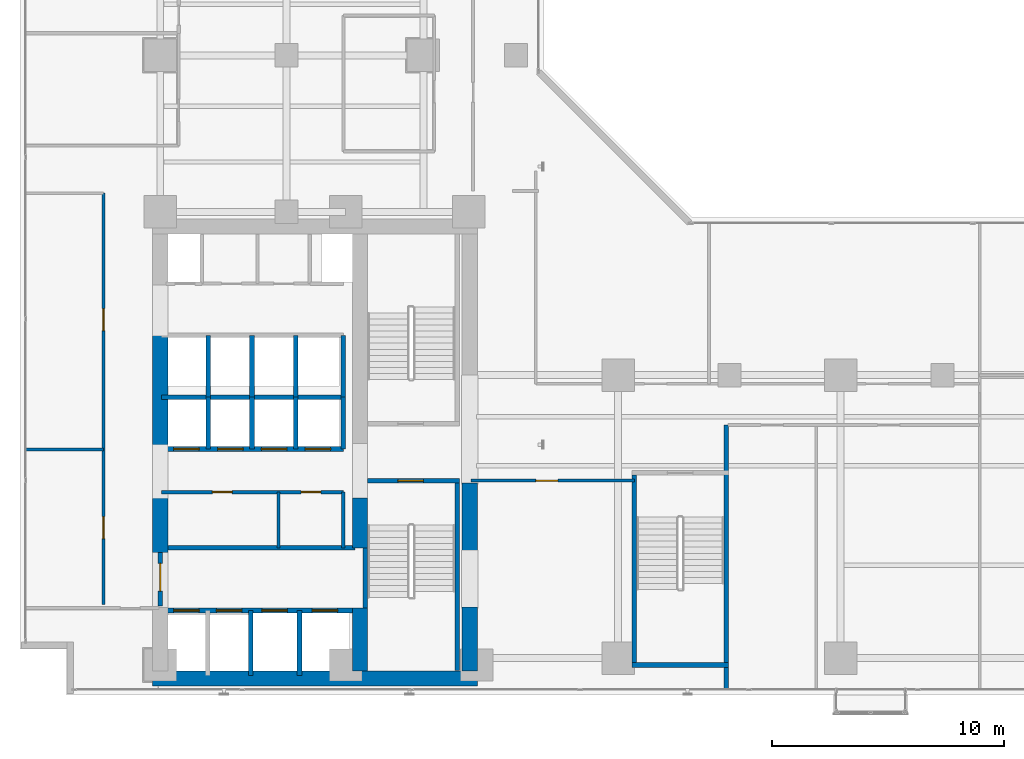
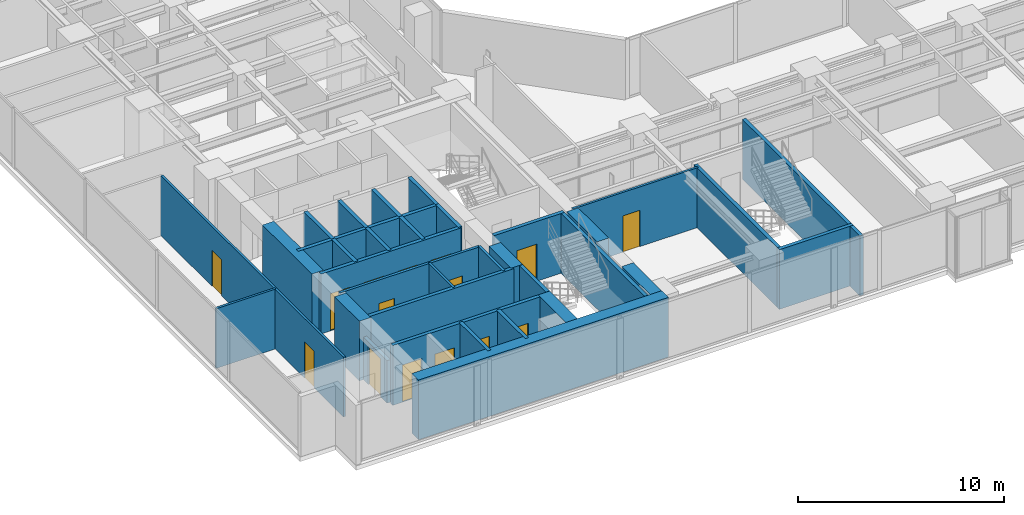
# One storey, part 20 of 28: 34 walls, 15 doors, 15 openings.
"""IFC4 building model written with IfcOpenShell, lengths in metres."""

import ifcopenshell
import ifcopenshell.guid

model = None  # the IFC model being written
_history = None  # IfcOwnerHistory: only IFC2X3 demands one
_inside = {}  # id of a spatial element -> (the spatial element, [elements in it])
_under = {}  # id of a project, library or spatial element -> (it, [spatial elements below it])
_declared = {}  # id of a project -> (the project, [libraries it declares])
_typed = {}  # id of a type object -> (the type object, [elements of that type])
_made_of = {}  # id of a material, layer set ... -> (it, [elements and type objects made of it])


def new_model(schema):
    """Start an empty IFC model of exactly this schema.

    Asked for "IFC4X3", IfcOpenShell would pick the latest addendum, in which some entities
    have other attributes; the version numbers below select the first issue.
    IFC2X3 requires an IfcOwnerHistory on every rooted entity: one is made here for all.
    """
    global model, _history
    if schema == "IFC4X3":
        model = ifcopenshell.file(schema_version=(4, 3, 0, 0))
    else:
        model = ifcopenshell.file(schema=schema)
    _inside.clear()
    _under.clear()
    _declared.clear()
    _typed.clear()
    _made_of.clear()
    _history = None
    if model.schema == "IFC2X3":
        org = make("IfcOrganization", Name="unknown")
        user = make(
            "IfcPersonAndOrganization",
            ThePerson=make("IfcPerson", FamilyName="unknown"),
            TheOrganization=org,
        )
        app = make(
            "IfcApplication",
            ApplicationDeveloper=org,
            Version="unknown",
            ApplicationFullName="unknown",
            ApplicationIdentifier="unknown",
        )
        _history = make(
            "IfcOwnerHistory",
            OwningUser=user,
            OwningApplication=app,
            ChangeAction="ADDED",
            CreationDate=0,
        )
    return model


def make(cls, **values):
    """One entity of the class cls with the attributes given. An attribute that is None is left unset."""
    return model.create_entity(
        cls, **{name: value for name, value in values.items() if value is not None}
    )


def rooted(cls, **values):
    """An entity with a GlobalId (a new one), such as an element, a storey or a relation."""
    return make(cls, GlobalId=ifcopenshell.guid.new(), OwnerHistory=_history, **values)


def si_unit(unit_type, name, prefix=None):
    """IfcSIUnit, for example si_unit("LENGTHUNIT", "METRE", prefix="MILLI")."""
    return make("IfcSIUnit", UnitType=unit_type, Prefix=prefix, Name=name)


def assignment(units):
    """IfcUnitAssignment: the units of a project."""
    return None if units is None else make("IfcUnitAssignment", Units=units)


def point(xyz):
    """IfcCartesianPoint."""
    return None if xyz is None else make("IfcCartesianPoint", Coordinates=xyz)


def direction(xyz):
    """IfcDirection."""
    return None if xyz is None else make("IfcDirection", DirectionRatios=xyz)


def frame(location, z_axis=None, x_axis=None):
    """IfcAxis2Placement3D, a coordinate frame: its origin and axes. An axis left out is left unset."""
    return make(
        "IfcAxis2Placement3D",
        Location=point(location),
        Axis=direction(z_axis),
        RefDirection=direction(x_axis),
    )


def frame_2d(location, x_axis=None):
    """IfcAxis2Placement2D, a coordinate frame in the plane: its origin and x axis."""
    return make(
        "IfcAxis2Placement2D", Location=point(location), RefDirection=direction(x_axis)
    )


def origin():
    """The frame at (0, 0, 0) with its axes left unset."""
    return frame((0.0, 0.0, 0.0))


def place(relative_to, where):
    """IfcLocalPlacement: puts the frame where relative to a parent placement (None: the world)."""
    return make(
        "IfcLocalPlacement", PlacementRelTo=relative_to, RelativePlacement=where
    )


def context(
    kind, dimensions, precision=None, world=None, true_north=None, identifier=None
):
    """IfcGeometricRepresentationContext, for example the 3D "Model" context."""
    return make(
        "IfcGeometricRepresentationContext",
        ContextIdentifier=identifier,
        ContextType=kind,
        CoordinateSpaceDimension=dimensions,
        Precision=precision,
        WorldCoordinateSystem=world,
        TrueNorth=true_north,
    )


def subcontext(parent, identifier, kind, view, scale=None):
    """IfcGeometricRepresentationSubContext, for example "Body" below "Model"."""
    return make(
        "IfcGeometricRepresentationSubContext",
        ContextIdentifier=identifier,
        ContextType=kind,
        ParentContext=parent,
        TargetScale=scale,
        TargetView=view,
    )


def project(units=None, contexts=None):
    """IfcProject with its units and contexts."""
    return rooted(
        "IfcProject",
        Name="project",
        RepresentationContexts=contexts,
        UnitsInContext=assignment(units),
    )


def spatial(cls, under=None, at=None, **own):
    """A site, building, storey or space (cls), placed at a placement, below another one or the project."""
    s = rooted(cls, ObjectPlacement=at, **own)
    if under is not None:
        _under.setdefault(under.id(), (under, []))[1].append(s)
    return s


def profile(cls, at=None, kind="AREA", **sizes):
    """A parametric profile (cls). Its sizes go by their IFC names, for example OverallWidth=200.0."""
    return make(cls, ProfileType=kind, Position=at, **sizes)


def rectangle(**sizes):
    """IfcRectangleProfileDef."""
    return profile("IfcRectangleProfileDef", **sizes)


def extrude(swept, where, along, depth):
    """IfcExtrudedAreaSolid: the profile swept, set in the frame where, extruded along a direction by depth."""
    return make(
        "IfcExtrudedAreaSolid",
        SweptArea=swept,
        Position=where,
        ExtrudedDirection=direction(along),
        Depth=depth,
    )


def shape(context_of_items, identifier, shape_type, items):
    """IfcShapeRepresentation: the items that make up one representation, for example the "Body"."""
    return make(
        "IfcShapeRepresentation",
        ContextOfItems=context_of_items,
        RepresentationIdentifier=identifier,
        RepresentationType=shape_type,
        Items=items,
    )


def material(Name=None, Category=None):
    """IfcMaterial."""
    return make("IfcMaterial", Name=Name, Category=Category)


def layer(
    of_material, thickness, ventilated=None, Name=None, Category=None, Priority=None
):
    """IfcMaterialLayer: one layer of a wall or slab, of a material (None: an air gap)."""
    return make(
        "IfcMaterialLayer",
        Material=of_material,
        LayerThickness=thickness,
        IsVentilated=ventilated,
        Name=Name,
        Category=Category,
        Priority=Priority,
    )


def layer_set(layers, Name=None):
    """IfcMaterialLayerSet."""
    return make("IfcMaterialLayerSet", MaterialLayers=layers, LayerSetName=Name)


def made_of(thing, what):
    """Note that an element or type object is made of a material, layer set ...; save() writes the relation."""
    if what is not None:
        _made_of.setdefault(what.id(), (what, []))[1].append(thing)
    return thing


def type_object(cls, material=None, **own):
    """A type object (cls), such as IfcWallType, which elements share."""
    return made_of(rooted(cls, **own), material)


def element(
    cls,
    number,
    at=None,
    inside=None,
    cuts=None,
    type_object=None,
    material=None,
    context=None,
    identifier="Body",
    shape_type=None,
    held_by="IfcProductDefinitionShape",
    body=None,
    shapes=None,
    **own,
):
    """One element of the class cls, such as IfcWall. Its Tag is "e" and its number.

    at: its placement. inside: the storey or other place that contains it. cuts: it is an
    opening in that element (IfcRelVoidsElement). A single representation is given by context,
    identifier, shape_type and body (its items); several are given by shapes. held_by: the class
    of the entity that holds the representations. save() writes the other relations.
    """
    e = rooted(cls, Tag="e%d" % number, ObjectPlacement=at, **own)
    if body is not None:
        shapes = [shape(context, identifier, shape_type, body)]
    if shapes is not None:
        e.Representation = make(held_by, Representations=shapes)
    if inside is not None:
        _inside.setdefault(inside.id(), (inside, []))[1].append(e)
    if cuts is not None:
        rooted(
            "IfcRelVoidsElement", RelatingBuildingElement=cuts, RelatedOpeningElement=e
        )
    if type_object is not None:
        _typed.setdefault(type_object.id(), (type_object, []))[1].append(e)
    return made_of(e, material)


def fill(opening, filler):
    """IfcRelFillsElement: the door or window that sits in an opening."""
    return rooted(
        "IfcRelFillsElement",
        RelatingOpeningElement=opening,
        RelatedBuildingElement=filler,
    )


def aggregate(whole, parts):
    """IfcRelAggregates: a whole, such as a stair, and the parts it consists of."""
    return rooted("IfcRelAggregates", RelatingObject=whole, RelatedObjects=parts)


def save(model, path):
    """Write the relations noted so far, then the file.

    IfcRelAggregates (storeys below a building ...), IfcRelContainedInSpatialStructure (elements
    in a storey), IfcRelDefinesByType, IfcRelAssociatesMaterial and IfcRelDeclares: one each for
    every whole, place, type object, material and project.
    """
    for whole, parts in _under.values():
        aggregate(whole, parts)
    for where, things in _inside.values():
        rooted(
            "IfcRelContainedInSpatialStructure",
            RelatedElements=things,
            RelatingStructure=where,
        )
    for kind, things in _typed.values():
        rooted("IfcRelDefinesByType", RelatedObjects=things, RelatingType=kind)
    for what, things in _made_of.values():
        rooted("IfcRelAssociatesMaterial", RelatedObjects=things, RelatingMaterial=what)
    for by, libraries in _declared.values():
        rooted("IfcRelDeclares", RelatingContext=by, RelatedDefinitions=libraries)
    model.write(path)


model = new_model("IFC4")

# Units and contexts
model_context = context("Model", 3, precision=1e-05, world=origin(), true_north=direction((0.0, 1.0)))
body_context = subcontext(model_context, "Body", "Model", "MODEL_VIEW")
ifc_project = project(units=[si_unit("LENGTHUNIT", "METRE"), si_unit("AREAUNIT", "SQUARE_METRE"), si_unit("VOLUMEUNIT", "CUBIC_METRE"), si_unit("PLANEANGLEUNIT", "RADIAN"), si_unit("MASSUNIT", "GRAM", prefix="KILO")], contexts=[model_context])

# Site, building, storey
site_placement = place(None, origin())
site = spatial("IfcSite", under=ifc_project, at=site_placement, CompositionType="ELEMENT")
building_placement = place(site_placement, origin())
building = spatial("IfcBuilding", under=site, at=building_placement, Name="Kolvaren Waterfront Exchange", CompositionType="ELEMENT")
storey_placement = place(building_placement, frame((0.0, 0.0, 133.5)))
storey = spatial("IfcBuildingStorey", under=building, at=storey_placement, Name="L34", CompositionType="ELEMENT", Elevation=133.5)

# Wall, opening, door
ifc_material_1 = material(Name="Precast concrete C40/50", Category="concrete")
ifc_layer_1 = layer(ifc_material_1, 0.199951171875, Name="Precast concrete C40/50")
ifc_layer_set_1 = layer_set([ifc_layer_1], Name="Precast concrete C40/50")
wall_type_1 = type_object("IfcWallType", Name="ARC-FIRE-200", PredefinedType="PARTITIONING", material=ifc_layer_set_1)
wall_1_placement = place(storey_placement, frame((16.39990234375, 12.85009765625, 0.0), z_axis=(0.0, 0.0, 1.0), x_axis=(1.0, 0.0, 0.0)))
wall_1 = element("IfcWall", 1, at=wall_1_placement, inside=storey, type_object=wall_type_1, Name="L34 interior wall PW-L34-ST1-THROAT-S", PredefinedType="PARTITIONING", context=body_context, shape_type="SweptSolid", body=[
    extrude(rectangle(XDim=3.960205078125, YDim=0.199951171875, at=frame_2d((1.97998046875, 0.0))), origin(), (0.0, 0.0, 1.0), 3.5400390625),
])
opening_1_placement = place(wall_1_placement, frame((1.3037109375, 0.0, 0.0)))
opening_1 = element("IfcOpeningElement", 2, at=opening_1_placement, cuts=wall_1, Name="Opening FD2", PredefinedType="OPENING", context=body_context, shape_type="SweptSolid", body=[
    extrude(rectangle(XDim=1.10009765625, YDim=2.199951171875, at=frame_2d((0.550048828125, 1.10009765625))), frame((0.0, 0.10986328125, 0.0), z_axis=(0.0, -1.0, 0.0), x_axis=(1.0, 0.0, 0.0)), (0.0, 0.0, 1.0), 0.219970703125),
])
ifc_material_2 = material(Name="Pressed steel smoke-seal fire door", Category="steel")
door_type_1 = type_object("IfcDoorType", Name="ARC-FD-1100", OperationType="NOTDEFINED", PredefinedType="DOOR", material=ifc_material_2)
door_1_placement = place(opening_1_placement, frame((1.10009765625, 0.0, 0.0), z_axis=(0.0, 0.0, 1.0), x_axis=(-1.0, 0.0, 0.0)))
door_1 = element("IfcDoor", 3, at=door_1_placement, inside=storey, type_object=door_type_1, Name="L34 door DR-L34-ST1-IN (FD2)", OperationType="SINGLE_SWING_RIGHT", OverallHeight=2.199951171875, OverallWidth=1.10009765625, PredefinedType="DOOR", context=body_context, shape_type="SweptSolid", body=[
    extrude(rectangle(XDim=1.10009765625, YDim=2.199951171875, at=frame_2d((0.550048828125, 1.10009765625))), frame((0.0, 0.02490234375, 0.0), z_axis=(0.0, -1.0, 0.0), x_axis=(1.0, 0.0, 0.0)), (0.0, 0.0, 1.0), 0.050048828125),
])
fill(opening_1, door_1)

# Wall
wall_2_placement = place(storey_placement, frame((7.5, 9.949951171875, 0.0), z_axis=(0.0, 0.0, 1.0), x_axis=(1.0, 0.0, 0.0)))
element("IfcWall", 4, at=wall_2_placement, inside=storey, type_object=wall_type_1, Name="L34 interior wall PW-L34-FF-N", PredefinedType="PARTITIONING", context=body_context, shape_type="SweptSolid", body=[
    extrude(rectangle(XDim=8.35009765625, YDim=0.199951171875, at=frame_2d((4.175048828125, 0.0))), origin(), (0.0, 0.0, 1.0), 3.5400390625),
])

# Wall, opening, door
wall_3_placement = place(storey_placement, frame((7.449951171875, 7.449951171875, 0.0), z_axis=(0.0, 0.0, 1.0), x_axis=(0.0, 1.0, 0.0)))
wall_3 = element("IfcWall", 5, at=wall_3_placement, inside=storey, type_object=wall_type_1, Name="L34 interior wall PW-L34-FF-W-DOOR", PredefinedType="PARTITIONING", context=body_context, shape_type="SweptSolid", body=[
    extrude(rectangle(XDim=2.300048828125, YDim=0.199951171875, at=frame_2d((1.14990234375, 0.0))), origin(), (0.0, 0.0, 1.0), 2.52001953125),
])
opening_2_placement = place(wall_3_placement, frame((0.63330078125, 0.0, 0.0)))
opening_2 = element("IfcOpeningElement", 6, at=opening_2_placement, cuts=wall_3, Name="Opening FD3", PredefinedType="OPENING", context=body_context, shape_type="SweptSolid", body=[
    extrude(rectangle(XDim=1.199951171875, YDim=2.25, at=frame_2d((0.60009765625, 1.125))), frame((0.0, 0.10986328125, 0.0), z_axis=(0.0, -1.0, 0.0), x_axis=(1.0, 0.0, 0.0)), (0.0, 0.0, 1.0), 0.219970703125),
])
ifc_material_3 = material(Name="Pressed steel fire door", Category="steel")
door_type_2 = type_object("IfcDoorType", Name="ARC-FD-1200", OperationType="NOTDEFINED", PredefinedType="DOOR", material=ifc_material_3)
door_2_placement = place(opening_2_placement, frame((1.199951171875, 0.0, 0.0), z_axis=(0.0, 0.0, 1.0), x_axis=(-1.0, 0.0, 0.0)))
door_2 = element("IfcDoor", 7, at=door_2_placement, inside=storey, type_object=door_type_2, Name="L34 door DR-L34-FF-OUT (FD3)", OperationType="SINGLE_SWING_LEFT", OverallHeight=2.25, OverallWidth=1.199951171875, PredefinedType="DOOR", context=body_context, shape_type="SweptSolid", body=[
    extrude(rectangle(XDim=1.199951171875, YDim=2.25, at=frame_2d((0.60009765625, 1.125))), frame((0.0, 0.02490234375, 0.0), z_axis=(0.0, -1.0, 0.0), x_axis=(1.0, 0.0, 0.0)), (0.0, 0.0, 1.0), 0.050048828125),
])
fill(opening_2, door_2)

# Wall
ifc_material_4 = material(Name="Acoustic gypsum steel stud", Category="steel")
ifc_layer_2 = layer(ifc_material_4, 0.125, Name="Acoustic gypsum steel stud")
ifc_layer_set_2 = layer_set([ifc_layer_2], Name="Acoustic gypsum steel stud")
wall_type_2 = type_object("IfcWallType", Name="ARC-PART-125", PredefinedType="PARTITIONING", material=ifc_layer_set_2)
wall_4_placement = place(storey_placement, frame((12.550048828125, 9.949951171875, 0.0), z_axis=(0.0, 0.0, 1.0), x_axis=(0.0, 1.0, 0.0)))
element("IfcWall", 8, at=wall_4_placement, inside=storey, type_object=wall_type_2, Name="L34 interior wall PW-L34-REC-PL-MID", PredefinedType="PARTITIONING", context=body_context, shape_type="SweptSolid", body=[
    extrude(rectangle(XDim=2.41015625, YDim=0.125, at=frame_2d((1.205078125, 0.0))), origin(), (0.0, 0.0, 1.0), 3.5400390625),
])

# Wall, openings, doors
wall_5_placement = place(storey_placement, frame((5.0, 7.5, 0.0), z_axis=(0.0, 0.0, 1.0), x_axis=(0.0, 1.0, 0.0)))
wall_5 = element("IfcWall", 9, at=wall_5_placement, inside=storey, type_object=wall_type_2, Name="L34 interior wall PW-L34-WFLANK-E", PredefinedType="PARTITIONING", context=body_context, shape_type="SweptSolid", body=[
    extrude(rectangle(XDim=17.75, YDim=0.125, at=frame_2d((8.875, 0.0))), origin(), (0.0, 0.0, 1.0), 3.5400390625),
])
opening_3_placement = place(wall_5_placement, frame((2.85009765625, 0.0, 0.0)))
opening_3 = element("IfcOpeningElement", 10, at=opening_3_placement, cuts=wall_5, Name="Opening D02", PredefinedType="OPENING", context=body_context, shape_type="SweptSolid", body=[
    extrude(rectangle(XDim=0.949951171875, YDim=2.14990234375, at=frame_2d((0.47509765625, 1.074951171875))), frame((0.0, 0.072509765625, 0.0), z_axis=(0.0, -1.0, 0.0), x_axis=(1.0, 0.0, 0.0)), (0.0, 0.0, 1.0), 0.14501953125),
])
opening_4_placement = place(wall_5_placement, frame((11.82080078125, 0.0, 0.0)))
opening_4 = element("IfcOpeningElement", 11, at=opening_4_placement, cuts=wall_5, Name="Opening D02", PredefinedType="OPENING", context=body_context, shape_type="SweptSolid", body=[
    extrude(rectangle(XDim=0.949951171875, YDim=2.14990234375, at=frame_2d((0.47509765625, 1.074951171875))), frame((0.0, 0.072509765625, 0.0), z_axis=(0.0, -1.0, 0.0), x_axis=(1.0, 0.0, 0.0)), (0.0, 0.0, 1.0), 0.14501953125),
])
ifc_material_5 = material(Name="Oak veneer acoustic timber", Category="wood")
door_type_3 = type_object("IfcDoorType", Name="ARC-DR-950", OperationType="NOTDEFINED", PredefinedType="DOOR", material=ifc_material_5)
door_3_placement = place(opening_3_placement, origin())
door_3 = element("IfcDoor", 12, at=door_3_placement, inside=storey, type_object=door_type_3, Name="L34 door DR-L34-WFL1-D (D02)", OperationType="SINGLE_SWING_LEFT", OverallHeight=2.14990234375, OverallWidth=0.949951171875, PredefinedType="DOOR", context=body_context, shape_type="SweptSolid", body=[
    extrude(rectangle(XDim=0.949951171875, YDim=2.14990234375, at=frame_2d((0.47509765625, 1.074951171875))), frame((0.0, 0.02490234375, 0.0), z_axis=(0.0, -1.0, 0.0), x_axis=(1.0, 0.0, 0.0)), (0.0, 0.0, 1.0), 0.050048828125),
])
fill(opening_3, door_3)
door_4_placement = place(opening_4_placement, origin())
door_4 = element("IfcDoor", 13, at=door_4_placement, inside=storey, type_object=door_type_3, Name="L34 door DR-L34-WFL2-D (D02)", OperationType="SINGLE_SWING_RIGHT", OverallHeight=2.14990234375, OverallWidth=0.949951171875, PredefinedType="DOOR", context=body_context, shape_type="SweptSolid", body=[
    extrude(rectangle(XDim=0.949951171875, YDim=2.14990234375, at=frame_2d((0.47509765625, 1.074951171875))), frame((0.0, 0.02490234375, 0.0), z_axis=(0.0, -1.0, 0.0), x_axis=(1.0, 0.0, 0.0)), (0.0, 0.0, 1.0), 0.050048828125),
])
fill(opening_4, door_4)

# Wall
wall_6_placement = place(storey_placement, frame((1.639892578125, 14.199951171875, 0.0), z_axis=(0.0, 0.0, 1.0), x_axis=(1.0, 0.0, 0.0)))
element("IfcWall", 14, at=wall_6_placement, inside=storey, type_object=wall_type_2, Name="L34 interior wall PW-L34-WFLANK-MID", PredefinedType="PARTITIONING", context=body_context, shape_type="SweptSolid", body=[
    extrude(rectangle(XDim=3.360107421875, YDim=0.125, at=frame_2d((1.68017578125, 0.0))), origin(), (0.0, 0.0, 1.0), 3.5400390625),
])

# Wall, opening, door
wall_7_placement = place(storey_placement, frame((20.85009765625, 12.85009765625, 0.0), z_axis=(0.0, 0.0, 1.0), x_axis=(1.0, 0.0, 0.0)))
wall_7 = element("IfcWall", 15, at=wall_7_placement, inside=storey, type_object=wall_type_2, Name="L34 interior wall PW-L34-SWST3-N", PredefinedType="PARTITIONING", context=body_context, shape_type="SweptSolid", body=[
    extrude(rectangle(XDim=7.0498046875, YDim=0.125, at=frame_2d((3.52490234375, 0.0))), origin(), (0.0, 0.0, 1.0), 3.5400390625),
])
opening_5_placement = place(wall_7_placement, frame((2.800048828125, 0.0, 0.0)))
opening_5 = element("IfcOpeningElement", 16, at=opening_5_placement, cuts=wall_7, Name="Opening D02", PredefinedType="OPENING", context=body_context, shape_type="SweptSolid", body=[
    extrude(rectangle(XDim=0.949951171875, YDim=2.14990234375, at=frame_2d((0.47509765625, 1.074951171875))), frame((0.0, 0.072509765625, 0.0), z_axis=(0.0, -1.0, 0.0), x_axis=(1.0, 0.0, 0.0)), (0.0, 0.0, 1.0), 0.14501953125),
])
door_5_placement = place(opening_5_placement, origin())
door_5 = element("IfcDoor", 17, at=door_5_placement, inside=storey, type_object=door_type_3, Name="L34 door DR-L34-SWST3-D (D02)", OperationType="SINGLE_SWING_LEFT", OverallHeight=2.14990234375, OverallWidth=0.949951171875, PredefinedType="DOOR", context=body_context, shape_type="SweptSolid", body=[
    extrude(rectangle(XDim=0.949951171875, YDim=2.14990234375, at=frame_2d((0.47509765625, 1.074951171875))), frame((0.0, 0.02490234375, 0.0), z_axis=(0.0, -1.0, 0.0), x_axis=(1.0, 0.0, 0.0)), (0.0, 0.0, 1.0), 0.050048828125),
])
fill(opening_5, door_5)

# Wall, openings, doors
ifc_material_6 = material(Name="Gypsum fireboard steel stud", Category="steel")
ifc_layer_3 = layer(ifc_material_6, 0.14990234375, Name="Gypsum fireboard steel stud")
ifc_layer_set_3 = layer_set([ifc_layer_3], Name="Gypsum fireboard steel stud")
wall_type_3 = type_object("IfcWallType", Name="ARC-PART-150", PredefinedType="PARTITIONING", material=ifc_layer_set_3)
wall_8_placement = place(storey_placement, frame((7.5, 12.360107421875, 0.0), z_axis=(0.0, 0.0, 1.0), x_axis=(1.0, 0.0, 0.0)))
wall_8 = element("IfcWall", 18, at=wall_8_placement, inside=storey, type_object=wall_type_3, Name="L34 interior wall PW-L34-REC-PL-N", PredefinedType="PARTITIONING", context=body_context, shape_type="SweptSolid", body=[
    extrude(rectangle(XDim=7.85009765625, YDim=0.14990234375, at=frame_2d((3.925048828125, 0.0))), origin(), (0.0, 0.0, 1.0), 3.5400390625),
])
opening_6_placement = place(wall_8_placement, frame((2.202392578125, 0.0, 0.0)))
opening_6 = element("IfcOpeningElement", 19, at=opening_6_placement, cuts=wall_8, Name="Opening D01", PredefinedType="OPENING", context=body_context, shape_type="SweptSolid", body=[
    extrude(rectangle(XDim=0.85009765625, YDim=2.14990234375, at=frame_2d((0.425048828125, 1.074951171875))), frame((0.0, 0.0849609375, 0.0), z_axis=(0.0, -1.0, 0.0), x_axis=(1.0, 0.0, 0.0)), (0.0, 0.0, 1.0), 0.169921875),
])
opening_7_placement = place(wall_8_placement, frame((6.02490234375, 0.0, 0.0)))
opening_7 = element("IfcOpeningElement", 20, at=opening_7_placement, cuts=wall_8, Name="Opening D01", PredefinedType="OPENING", context=body_context, shape_type="SweptSolid", body=[
    extrude(rectangle(XDim=0.85009765625, YDim=2.14990234375, at=frame_2d((0.425048828125, 1.074951171875))), frame((0.0, 0.0849609375, 0.0), z_axis=(0.0, -1.0, 0.0), x_axis=(1.0, 0.0, 0.0)), (0.0, 0.0, 1.0), 0.169921875),
])
ifc_material_7 = material(Name="Oak veneer timber leaf", Category="wood")
door_type_4 = type_object("IfcDoorType", Name="ARC-DR-900", OperationType="NOTDEFINED", PredefinedType="DOOR", material=ifc_material_7)
door_6_placement = place(opening_6_placement, origin())
door_6 = element("IfcDoor", 21, at=door_6_placement, inside=storey, type_object=door_type_4, Name="L34 door DR-L34-REC-PL-D1 (D01)", OperationType="SINGLE_SWING_RIGHT", OverallHeight=2.14990234375, OverallWidth=0.85009765625, PredefinedType="DOOR", context=body_context, shape_type="SweptSolid", body=[
    extrude(rectangle(XDim=0.85009765625, YDim=2.14990234375, at=frame_2d((0.425048828125, 1.074951171875))), frame((0.0, 0.02490234375, 0.0), z_axis=(0.0, -1.0, 0.0), x_axis=(1.0, 0.0, 0.0)), (0.0, 0.0, 1.0), 0.050048828125),
])
fill(opening_6, door_6)
door_7_placement = place(opening_7_placement, origin())
door_7 = element("IfcDoor", 22, at=door_7_placement, inside=storey, type_object=door_type_4, Name="L34 door DR-L34-REC-PL-D2 (D01)", OperationType="SINGLE_SWING_LEFT", OverallHeight=2.14990234375, OverallWidth=0.85009765625, PredefinedType="DOOR", context=body_context, shape_type="SweptSolid", body=[
    extrude(rectangle(XDim=0.85009765625, YDim=2.14990234375, at=frame_2d((0.425048828125, 1.074951171875))), frame((0.0, 0.02490234375, 0.0), z_axis=(0.0, -1.0, 0.0), x_axis=(1.0, 0.0, 0.0)), (0.0, 0.0, 1.0), 0.050048828125),
])
fill(opening_7, door_7)

# Walls
wall_9_placement = place(storey_placement, frame((15.35009765625, 9.949951171875, 0.0), z_axis=(0.0, 0.0, 1.0), x_axis=(0.0, 1.0, 0.0)))
element("IfcWall", 23, at=wall_9_placement, inside=storey, type_object=wall_type_3, Name="L34 interior wall PW-L34-REC-PL-E", PredefinedType="PARTITIONING", context=body_context, shape_type="SweptSolid", body=[
    extrude(rectangle(XDim=2.41015625, YDim=0.14990234375, at=frame_2d((1.205078125, 0.0))), origin(), (0.0, 0.0, 1.0), 3.5400390625),
])
ifc_material_8 = material(Name="Concrete C40/50", Category="concrete")
ifc_layer_4 = layer(ifc_material_8, 0.199951171875, Name="Concrete C40/50")
ifc_layer_set_4 = layer_set([ifc_layer_4], Name="Concrete C40/50")
wall_type_4 = type_object("IfcWallType", Name="ARC-SHAFT-200", PredefinedType="PARTITIONING", material=ifc_layer_set_4)
wall_10_placement = place(storey_placement, frame((16.300048828125, 7.360107421875, 0.0), z_axis=(0.0, 0.0, 1.0), x_axis=(0.0, 1.0, 0.0)))
element("IfcWall", 24, at=wall_10_placement, inside=storey, type_object=wall_type_4, Name="L34 structural stairwell wall PW-L34-ST1-W", PredefinedType="SHEAR", context=body_context, shape_type="SweptSolid", body=[
    extrude(rectangle(XDim=2.579833984375, YDim=0.199951171875, at=frame_2d((1.2900390625, 0.0))), origin(), (0.0, 0.0, 1.0), 3.5400390625),
])
wall_11_placement = place(storey_placement, frame((20.260009765625, 4.659912109375, 0.0), z_axis=(0.0, 0.0, 1.0), x_axis=(0.0, 1.0, 0.0)))
element("IfcWall", 25, at=wall_11_placement, inside=storey, type_object=wall_type_4, Name="L34 structural stairwell wall PW-L34-ST1-E", PredefinedType="SHEAR", context=body_context, shape_type="SweptSolid", body=[
    extrude(rectangle(XDim=8.090087890625, YDim=0.199951171875, at=frame_2d((4.044921875, 0.0))), origin(), (0.0, 0.0, 1.0), 3.5400390625),
])
wall_12_placement = place(storey_placement, frame((27.89990234375, 5.0, 0.0), z_axis=(0.0, 0.0, 1.0), x_axis=(0.0, 1.0, 0.0)))
element("IfcWall", 26, at=wall_12_placement, inside=storey, type_object=wall_type_4, Name="L34 structural stairwell wall PW-L34-ST3-W", PredefinedType="SHEAR", context=body_context, shape_type="SweptSolid", body=[
    extrude(rectangle(XDim=8.10009765625, YDim=0.199951171875, at=frame_2d((4.050048828125, 0.0))), origin(), (0.0, 0.0, 1.0), 3.5400390625),
])
wall_13_placement = place(storey_placement, frame((31.860107421875, 3.840087890625, 0.0), z_axis=(0.0, 0.0, 1.0), x_axis=(0.0, 1.0, 0.0)))
element("IfcWall", 27, at=wall_13_placement, inside=storey, type_object=wall_type_4, Name="L34 structural stairwell wall PW-L34-ST3-E", PredefinedType="SHEAR", context=body_context, shape_type="SweptSolid", body=[
    extrude(rectangle(XDim=11.409912109375, YDim=0.199951171875, at=frame_2d((5.705078125, 0.0))), origin(), (0.0, 0.0, 1.0), 3.5400390625),
])
wall_14_placement = place(storey_placement, frame((27.800048828125, 4.89990234375, 0.0), z_axis=(0.0, 0.0, 1.0), x_axis=(1.0, 0.0, 0.0)))
element("IfcWall", 28, at=wall_14_placement, inside=storey, type_object=wall_type_4, Name="L34 structural stairwell wall PW-L34-ST3-S", PredefinedType="SHEAR", context=body_context, shape_type="SweptSolid", body=[
    extrude(rectangle(XDim=4.159912109375, YDim=0.199951171875, at=frame_2d((2.080078125, 0.0))), origin(), (0.0, 0.0, 1.0), 3.5400390625),
])

# Wall, openings, doors
wall_15_placement = place(storey_placement, frame((7.5, 7.25, 0.0), z_axis=(0.0, 0.0, 1.0), x_axis=(1.0, 0.0, 0.0)))
wall_15 = element("IfcWall", 29, at=wall_15_placement, inside=storey, type_object=wall_type_4, Name="L34 interior wall PW-L34-FF-S", PredefinedType="PARTITIONING", context=body_context, shape_type="SweptSolid", body=[
    extrude(rectangle(XDim=8.35009765625, YDim=0.199951171875, at=frame_2d((4.175048828125, 0.0))), origin(), (0.0, 0.0, 1.0), 3.5400390625),
])
opening_8_placement = place(wall_15_placement, frame((0.530029296875, 0.0, 0.0)))
opening_8 = element("IfcOpeningElement", 30, at=opening_8_placement, cuts=wall_15, Name="Opening LD1", PredefinedType="OPENING", context=body_context, shape_type="SweptSolid", body=[
    extrude(rectangle(XDim=1.10009765625, YDim=2.199951171875, at=frame_2d((0.550048828125, 1.10009765625))), frame((0.0, 0.10986328125, 0.0), z_axis=(0.0, -1.0, 0.0), x_axis=(1.0, 0.0, 0.0)), (0.0, 0.0, 1.0), 0.219970703125),
])
opening_9_placement = place(wall_15_placement, frame((2.3701171875, 0.0, 0.0)))
opening_9 = element("IfcOpeningElement", 31, at=opening_9_placement, cuts=wall_15, Name="Opening LD1", PredefinedType="OPENING", context=body_context, shape_type="SweptSolid", body=[
    extrude(rectangle(XDim=1.10009765625, YDim=2.199951171875, at=frame_2d((0.550048828125, 1.10009765625))), frame((0.0, 0.10986328125, 0.0), z_axis=(0.0, -1.0, 0.0), x_axis=(1.0, 0.0, 0.0)), (0.0, 0.0, 1.0), 0.219970703125),
])
opening_10_placement = place(wall_15_placement, frame((4.330078125, 0.0, 0.0)))
opening_10 = element("IfcOpeningElement", 32, at=opening_10_placement, cuts=wall_15, Name="Opening LD1", PredefinedType="OPENING", context=body_context, shape_type="SweptSolid", body=[
    extrude(rectangle(XDim=1.10009765625, YDim=2.199951171875, at=frame_2d((0.550048828125, 1.10009765625))), frame((0.0, 0.10986328125, 0.0), z_axis=(0.0, -1.0, 0.0), x_axis=(1.0, 0.0, 0.0)), (0.0, 0.0, 1.0), 0.219970703125),
])
opening_11_placement = place(wall_15_placement, frame((6.5, 0.0, 0.0)))
opening_11 = element("IfcOpeningElement", 33, at=opening_11_placement, cuts=wall_15, Name="Opening LD1", PredefinedType="OPENING", context=body_context, shape_type="SweptSolid", body=[
    extrude(rectangle(XDim=1.10009765625, YDim=2.199951171875, at=frame_2d((0.550048828125, 1.10009765625))), frame((0.0, 0.10986328125, 0.0), z_axis=(0.0, -1.0, 0.0), x_axis=(1.0, 0.0, 0.0)), (0.0, 0.0, 1.0), 0.219970703125),
])
ifc_material_9 = material(Name="Stainless steel sliding landing door", Category="steel")
door_type_5 = type_object("IfcDoorType", Name="ARC-LD-FF", OperationType="SLIDING_TO_LEFT", PredefinedType="DOOR", material=ifc_material_9)
door_8_placement = place(opening_8_placement, origin())
door_8 = element("IfcDoor", 34, at=door_8_placement, inside=storey, type_object=door_type_5, Name="L34 door LD-L34-FFL1 (LD1)", OperationType="SLIDING_TO_LEFT", OverallHeight=2.199951171875, OverallWidth=1.10009765625, PredefinedType="DOOR", context=body_context, shape_type="SweptSolid", body=[
    extrude(rectangle(XDim=1.10009765625, YDim=2.199951171875, at=frame_2d((0.550048828125, 1.10009765625))), frame((0.0, 0.02490234375, 0.0), z_axis=(0.0, -1.0, 0.0), x_axis=(1.0, 0.0, 0.0)), (0.0, 0.0, 1.0), 0.050048828125),
])
fill(opening_8, door_8)
door_9_placement = place(opening_9_placement, origin())
door_9 = element("IfcDoor", 35, at=door_9_placement, inside=storey, type_object=door_type_5, Name="L34 door LD-L34-FFL2 (LD1)", OperationType="SLIDING_TO_LEFT", OverallHeight=2.199951171875, OverallWidth=1.10009765625, PredefinedType="DOOR", context=body_context, shape_type="SweptSolid", body=[
    extrude(rectangle(XDim=1.10009765625, YDim=2.199951171875, at=frame_2d((0.550048828125, 1.10009765625))), frame((0.0, 0.02490234375, 0.0), z_axis=(0.0, -1.0, 0.0), x_axis=(1.0, 0.0, 0.0)), (0.0, 0.0, 1.0), 0.050048828125),
])
fill(opening_9, door_9)
door_10_placement = place(opening_10_placement, origin())
door_10 = element("IfcDoor", 36, at=door_10_placement, inside=storey, type_object=door_type_5, Name="L34 door LD-L34-GL1 (LD1)", OperationType="SLIDING_TO_LEFT", OverallHeight=2.199951171875, OverallWidth=1.10009765625, PredefinedType="DOOR", context=body_context, shape_type="SweptSolid", body=[
    extrude(rectangle(XDim=1.10009765625, YDim=2.199951171875, at=frame_2d((0.550048828125, 1.10009765625))), frame((0.0, 0.02490234375, 0.0), z_axis=(0.0, -1.0, 0.0), x_axis=(1.0, 0.0, 0.0)), (0.0, 0.0, 1.0), 0.050048828125),
])
fill(opening_10, door_10)
door_11_placement = place(opening_11_placement, origin())
door_11 = element("IfcDoor", 37, at=door_11_placement, inside=storey, type_object=door_type_5, Name="L34 door LD-L34-GL2 (LD1)", OperationType="SLIDING_TO_LEFT", OverallHeight=2.199951171875, OverallWidth=1.10009765625, PredefinedType="DOOR", context=body_context, shape_type="SweptSolid", body=[
    extrude(rectangle(XDim=1.10009765625, YDim=2.199951171875, at=frame_2d((0.550048828125, 1.10009765625))), frame((0.0, 0.02490234375, 0.0), z_axis=(0.0, -1.0, 0.0), x_axis=(1.0, 0.0, 0.0)), (0.0, 0.0, 1.0), 0.050048828125),
])
fill(opening_11, door_11)

# Walls
for number, where, z_axis, x_axis, name in (
    (38, (11.360107421875, 4.449951171875, 0.0), (0.0, 0.0, 1.0), (0.0, 1.0, 0.0), "L34 interior wall PW-L34-SH1-DIV-113"),
    (39, (13.4599609375, 4.449951171875, 0.0), (0.0, 0.0, 1.0), (0.0, 1.0, 0.0), "L34 interior wall PW-L34-SH1-DIV-134"),
):
    element("IfcWall", number, at=place(storey_placement, frame(where, z_axis=z_axis, x_axis=x_axis)), inside=storey, type_object=wall_type_4, Name=name, PredefinedType="PARTITIONING", context=body_context, shape_type="SweptSolid", body=[
        extrude(rectangle(XDim=2.800048828125, YDim=0.199951171875, at=frame_2d((1.39990234375, 0.0))), origin(), (0.0, 0.0, 1.0), 3.5400390625),
    ])

# Wall, openings, doors
wall_16_placement = place(storey_placement, frame((7.5, 14.219970703125, 0.0), z_axis=(0.0, 0.0, 1.0), x_axis=(1.0, 0.0, 0.0)))
wall_16 = element("IfcWall", 40, at=wall_16_placement, inside=storey, type_object=wall_type_4, Name="L34 interior wall PW-L34-PM-S", PredefinedType="PARTITIONING", context=body_context, shape_type="SweptSolid", body=[
    extrude(rectangle(XDim=7.85009765625, YDim=0.199951171875, at=frame_2d((3.925048828125, 0.0))), origin(), (0.0, 0.0, 1.0), 3.5400390625),
])
opening_12_placement = place(wall_16_placement, frame((0.530029296875, 0.0, 0.0)))
opening_12 = element("IfcOpeningElement", 41, at=opening_12_placement, cuts=wall_16, Name="Opening LD2", PredefinedType="OPENING", context=body_context, shape_type="SweptSolid", body=[
    extrude(rectangle(XDim=1.10009765625, YDim=2.199951171875, at=frame_2d((0.550048828125, 1.10009765625))), frame((0.0, 0.10986328125, 0.0), z_axis=(0.0, -1.0, 0.0), x_axis=(1.0, 0.0, 0.0)), (0.0, 0.0, 1.0), 0.219970703125),
])
opening_13_placement = place(wall_16_placement, frame((2.419921875, 0.0, 0.0)))
opening_13 = element("IfcOpeningElement", 42, at=opening_13_placement, cuts=wall_16, Name="Opening LD2", PredefinedType="OPENING", context=body_context, shape_type="SweptSolid", body=[
    extrude(rectangle(XDim=1.10009765625, YDim=2.199951171875, at=frame_2d((0.550048828125, 1.10009765625))), frame((0.0, 0.10986328125, 0.0), z_axis=(0.0, -1.0, 0.0), x_axis=(1.0, 0.0, 0.0)), (0.0, 0.0, 1.0), 0.219970703125),
])
opening_14_placement = place(wall_16_placement, frame((4.31005859375, 0.0, 0.0)))
opening_14 = element("IfcOpeningElement", 43, at=opening_14_placement, cuts=wall_16, Name="Opening LD2", PredefinedType="OPENING", context=body_context, shape_type="SweptSolid", body=[
    extrude(rectangle(XDim=1.10009765625, YDim=2.199951171875, at=frame_2d((0.550048828125, 1.10009765625))), frame((0.0, 0.10986328125, 0.0), z_axis=(0.0, -1.0, 0.0), x_axis=(1.0, 0.0, 0.0)), (0.0, 0.0, 1.0), 0.219970703125),
])
opening_15_placement = place(wall_16_placement, frame((6.199951171875, 0.0, 0.0)))
opening_15 = element("IfcOpeningElement", 44, at=opening_15_placement, cuts=wall_16, Name="Opening LD2", PredefinedType="OPENING", context=body_context, shape_type="SweptSolid", body=[
    extrude(rectangle(XDim=1.10009765625, YDim=2.199951171875, at=frame_2d((0.550048828125, 1.10009765625))), frame((0.0, 0.10986328125, 0.0), z_axis=(0.0, -1.0, 0.0), x_axis=(1.0, 0.0, 0.0)), (0.0, 0.0, 1.0), 0.219970703125),
])
ifc_material_10 = material(Name="Brushed bronze sliding landing door", Category="aluminium")
door_type_6 = type_object("IfcDoorType", Name="ARC-LD-PAX", OperationType="SLIDING_TO_LEFT", PredefinedType="DOOR", material=ifc_material_10)
door_12_placement = place(opening_12_placement, frame((1.10009765625, 0.0, 0.0), z_axis=(0.0, 0.0, 1.0), x_axis=(-1.0, 0.0, 0.0)))
door_12 = element("IfcDoor", 45, at=door_12_placement, inside=storey, type_object=door_type_6, Name="L34 door LD-L34-PM1 (LD2)", OperationType="SLIDING_TO_LEFT", OverallHeight=2.199951171875, OverallWidth=1.10009765625, PredefinedType="DOOR", context=body_context, shape_type="SweptSolid", body=[
    extrude(rectangle(XDim=1.10009765625, YDim=2.199951171875, at=frame_2d((0.550048828125, 1.10009765625))), frame((0.0, 0.02490234375, 0.0), z_axis=(0.0, -1.0, 0.0), x_axis=(1.0, 0.0, 0.0)), (0.0, 0.0, 1.0), 0.050048828125),
])
fill(opening_12, door_12)
door_13_placement = place(opening_13_placement, frame((1.10009765625, 0.0, 0.0), z_axis=(0.0, 0.0, 1.0), x_axis=(-1.0, 0.0, 0.0)))
door_13 = element("IfcDoor", 46, at=door_13_placement, inside=storey, type_object=door_type_6, Name="L34 door LD-L34-PM2 (LD2)", OperationType="SLIDING_TO_LEFT", OverallHeight=2.199951171875, OverallWidth=1.10009765625, PredefinedType="DOOR", context=body_context, shape_type="SweptSolid", body=[
    extrude(rectangle(XDim=1.10009765625, YDim=2.199951171875, at=frame_2d((0.550048828125, 1.10009765625))), frame((0.0, 0.02490234375, 0.0), z_axis=(0.0, -1.0, 0.0), x_axis=(1.0, 0.0, 0.0)), (0.0, 0.0, 1.0), 0.050048828125),
])
fill(opening_13, door_13)
door_14_placement = place(opening_14_placement, frame((1.10009765625, 0.0, 0.0), z_axis=(0.0, 0.0, 1.0), x_axis=(-1.0, 0.0, 0.0)))
door_14 = element("IfcDoor", 47, at=door_14_placement, inside=storey, type_object=door_type_6, Name="L34 door LD-L34-PM3 (LD2)", OperationType="SLIDING_TO_LEFT", OverallHeight=2.199951171875, OverallWidth=1.10009765625, PredefinedType="DOOR", context=body_context, shape_type="SweptSolid", body=[
    extrude(rectangle(XDim=1.10009765625, YDim=2.199951171875, at=frame_2d((0.550048828125, 1.10009765625))), frame((0.0, 0.02490234375, 0.0), z_axis=(0.0, -1.0, 0.0), x_axis=(1.0, 0.0, 0.0)), (0.0, 0.0, 1.0), 0.050048828125),
])
fill(opening_14, door_14)
door_15_placement = place(opening_15_placement, frame((1.10009765625, 0.0, 0.0), z_axis=(0.0, 0.0, 1.0), x_axis=(-1.0, 0.0, 0.0)))
door_15 = element("IfcDoor", 48, at=door_15_placement, inside=storey, type_object=door_type_6, Name="L34 door LD-L34-PM4 (LD2)", OperationType="SLIDING_TO_LEFT", OverallHeight=2.199951171875, OverallWidth=1.10009765625, PredefinedType="DOOR", context=body_context, shape_type="SweptSolid", body=[
    extrude(rectangle(XDim=1.10009765625, YDim=2.199951171875, at=frame_2d((0.550048828125, 1.10009765625))), frame((0.0, 0.02490234375, 0.0), z_axis=(0.0, -1.0, 0.0), x_axis=(1.0, 0.0, 0.0)), (0.0, 0.0, 1.0), 0.050048828125),
])
fill(opening_15, door_15)

# Walls
wall_17_placement = place(storey_placement, frame((7.5, 16.449951171875, 0.0), z_axis=(0.0, 0.0, 1.0), x_axis=(1.0, 0.0, 0.0)))
element("IfcWall", 49, at=wall_17_placement, inside=storey, type_object=wall_type_4, Name="L34 interior wall PW-L34-PM-N", PredefinedType="PARTITIONING", context=body_context, shape_type="SweptSolid", body=[
    extrude(rectangle(XDim=7.85009765625, YDim=0.199951171875, at=frame_2d((3.925048828125, 0.0))), origin(), (0.0, 0.0, 1.0), 3.5400390625),
])
for number, where, z_axis, x_axis, name in (
    (50, (15.35009765625, 14.219970703125, 0.0), (0.0, 0.0, 1.0), (0.0, 1.0, 0.0), "L34 interior wall PW-L34-PM-E"),
    (51, (9.52001953125, 14.219970703125, 0.0), (0.0, 0.0, 1.0), (0.0, 1.0, 0.0), "L34 interior wall PW-L34-SH3-DIV-95"),
    (52, (11.409912109375, 14.219970703125, 0.0), (0.0, 0.0, 1.0), (0.0, 1.0, 0.0), "L34 interior wall PW-L34-SH3-DIV-114"),
    (53, (13.300048828125, 14.219970703125, 0.0), (0.0, 0.0, 1.0), (0.0, 1.0, 0.0), "L34 interior wall PW-L34-SH3-DIV-133"),
):
    element("IfcWall", number, at=place(storey_placement, frame(where, z_axis=z_axis, x_axis=x_axis)), inside=storey, type_object=wall_type_4, Name=name, PredefinedType="PARTITIONING", context=body_context, shape_type="SweptSolid", body=[
        extrude(rectangle(XDim=2.22998046875, YDim=0.199951171875, at=frame_2d((1.114990234375, 0.0))), origin(), (0.0, 0.0, 1.0), 3.5400390625),
    ])
for number, where, z_axis, x_axis, name in (
    (54, (15.35009765625, 16.449951171875, 0.0), (0.0, 0.0, 1.0), (0.0, 1.0, 0.0), "L34 interior wall PW-L34-PH-E"),
    (55, (9.52001953125, 16.449951171875, 0.0), (0.0, 0.0, 1.0), (0.0, 1.0, 0.0), "L34 interior wall PW-L34-SH4-DIV-95"),
    (56, (11.409912109375, 16.449951171875, 0.0), (0.0, 0.0, 1.0), (0.0, 1.0, 0.0), "L34 interior wall PW-L34-SH4-DIV-114"),
    (57, (13.300048828125, 16.449951171875, 0.0), (0.0, 0.0, 1.0), (0.0, 1.0, 0.0), "L34 interior wall PW-L34-SH4-DIV-133"),
):
    element("IfcWall", number, at=place(storey_placement, frame(where, z_axis=z_axis, x_axis=x_axis)), inside=storey, type_object=wall_type_4, Name=name, PredefinedType="PARTITIONING", context=body_context, shape_type="SweptSolid", body=[
        extrude(rectangle(XDim=2.670166015625, YDim=0.199951171875, at=frame_2d((1.3349609375, 0.0))), origin(), (0.0, 0.0, 1.0), 3.5400390625),
    ])
ifc_material_11 = material(Name="Concrete C60/75", Category="concrete")
ifc_layer_5 = layer(ifc_material_11, 0.64990234375, Name="Concrete C60/75")
ifc_layer_set_5 = layer_set([ifc_layer_5], Name="Concrete C60/75")
wall_type_5 = type_object("IfcWallType", Name="STR-CWALL-650", PredefinedType="SHEAR", material=ifc_layer_set_5)
wall_18_placement = place(storey_placement, frame((7.125, 4.324951171875, 0.0), z_axis=(0.0, 0.0, 1.0), x_axis=(1.0, 0.0, 0.0)))
element("IfcWall", 58, at=wall_18_placement, inside=storey, type_object=wall_type_5, Name="L34 rear-core shear wall S", PredefinedType="SHEAR", context=body_context, shape_type="SweptSolid", body=[
    extrude(rectangle(XDim=14.0, YDim=0.64990234375, at=frame_2d((7.0, 0.0))), origin(), (0.0, 0.0, 1.0), 3.5400390625),
])
wall_19_placement = place(storey_placement, frame((7.449951171875, 9.75, 0.0), z_axis=(0.0, 0.0, 1.0), x_axis=(0.0, 1.0, 0.0)))
element("IfcWall", 59, at=wall_19_placement, inside=storey, type_object=wall_type_5, Name="L34 rear-core shear wall W2A", PredefinedType="SHEAR", context=body_context, shape_type="SweptSolid", body=[
    extrude(rectangle(XDim=2.39990234375, YDim=0.64990234375, at=frame_2d((1.199951171875, 0.0))), origin(), (0.0, 0.0, 1.0), 3.5400390625),
])
wall_20_placement = place(storey_placement, frame((7.449951171875, 14.35009765625, 0.0), z_axis=(0.0, 0.0, 1.0), x_axis=(0.0, 1.0, 0.0)))
element("IfcWall", 60, at=wall_20_placement, inside=storey, type_object=wall_type_5, Name="L34 rear-core shear wall W2B", PredefinedType="SHEAR", context=body_context, shape_type="SweptSolid", body=[
    extrude(rectangle(XDim=4.809814453125, YDim=0.64990234375, at=frame_2d((2.40478515625, 0.0))), origin(), (0.0, 0.0, 1.0), 3.5400390625),
])
wall_21_placement = place(storey_placement, frame((20.800048828125, 4.64990234375, 0.0), z_axis=(0.0, 0.0, 1.0), x_axis=(0.0, 1.0, 0.0)))
element("IfcWall", 61, at=wall_21_placement, inside=storey, type_object=wall_type_5, Name="L34 rear-core shear wall E1", PredefinedType="SHEAR", context=body_context, shape_type="SweptSolid", body=[
    extrude(rectangle(XDim=2.75, YDim=0.64990234375, at=frame_2d((1.375, 0.0))), origin(), (0.0, 0.0, 1.0), 3.5400390625),
])
wall_22_placement = place(storey_placement, frame((20.800048828125, 9.800048828125, 0.0), z_axis=(0.0, 0.0, 1.0), x_axis=(0.0, 1.0, 0.0)))
element("IfcWall", 62, at=wall_22_placement, inside=storey, type_object=wall_type_5, Name="L34 rear-core shear wall E2", PredefinedType="SHEAR", context=body_context, shape_type="SweptSolid", body=[
    extrude(rectangle(XDim=2.949951171875, YDim=0.64990234375, at=frame_2d((1.47509765625, 0.0))), origin(), (0.0, 0.0, 1.0), 3.5400390625),
])
wall_23_placement = place(storey_placement, frame((16.074951171875, 4.64990234375, 0.0), z_axis=(0.0, 0.0, 1.0), x_axis=(0.0, 1.0, 0.0)))
element("IfcWall", 63, at=wall_23_placement, inside=storey, type_object=wall_type_5, Name="L34 rear-core shear wall M1", PredefinedType="SHEAR", context=body_context, shape_type="SweptSolid", body=[
    extrude(rectangle(XDim=2.7001953125, YDim=0.64990234375, at=frame_2d((1.35009765625, 0.0))), origin(), (0.0, 0.0, 1.0), 3.5400390625),
])
wall_24_placement = place(storey_placement, frame((16.074951171875, 9.949951171875, 0.0), z_axis=(0.0, 0.0, 1.0), x_axis=(0.0, 1.0, 0.0)))
element("IfcWall", 64, at=wall_24_placement, inside=storey, type_object=wall_type_5, Name="L34 rear-core shear wall M2", PredefinedType="SHEAR", context=body_context, shape_type="SweptSolid", body=[
    extrude(rectangle(XDim=2.150146484375, YDim=0.64990234375, at=frame_2d((1.0751953125, 0.0))), origin(), (0.0, 0.0, 1.0), 3.5400390625),
])

save(model, "model.ifc")
